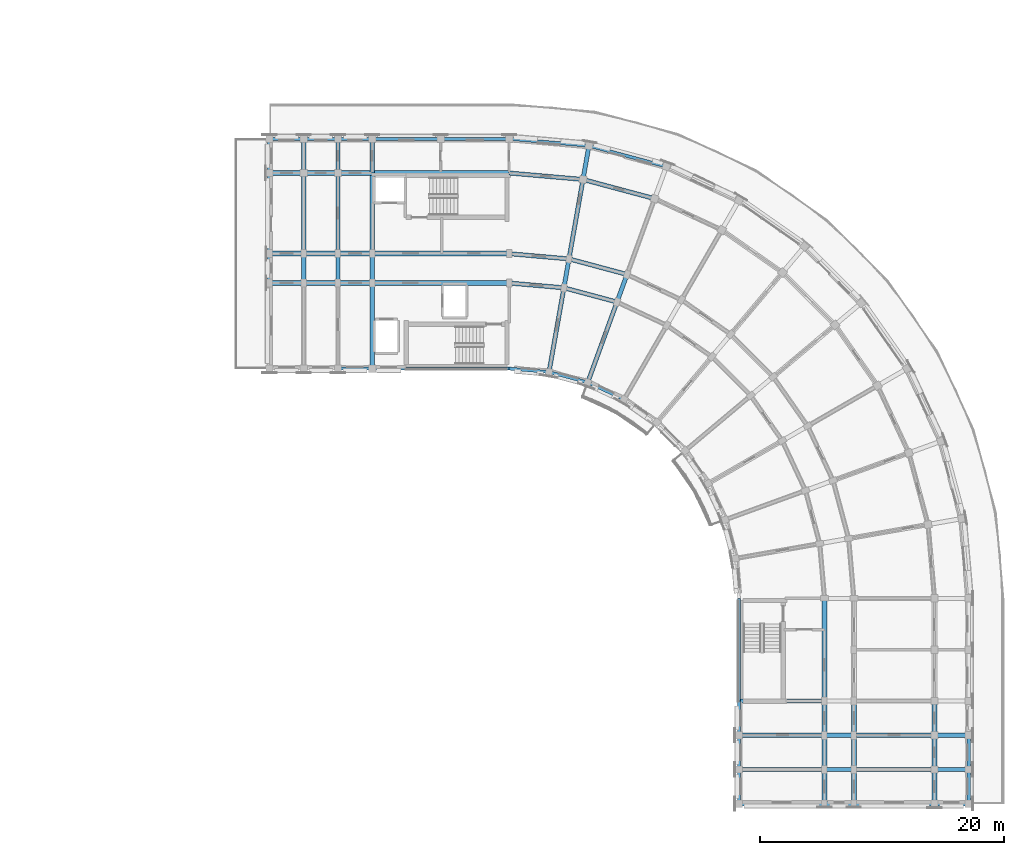
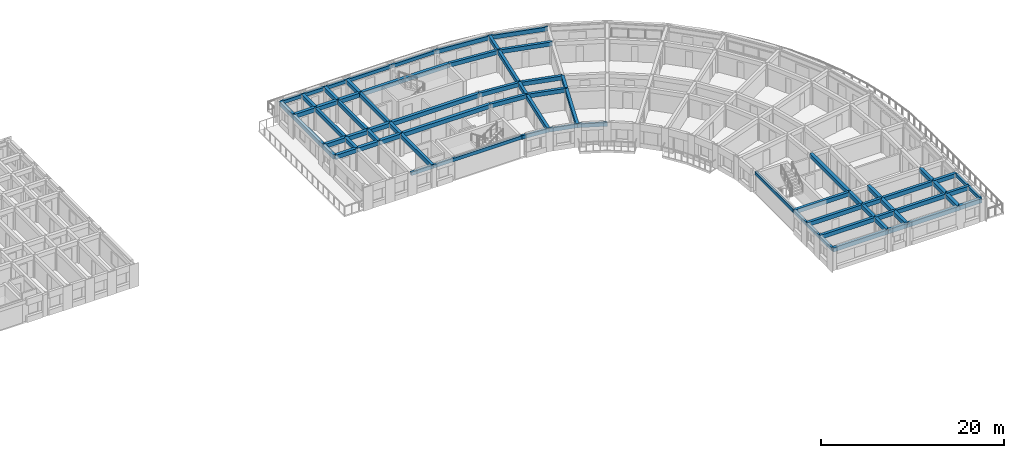
# One storey, part 6 of 36: 78 beams.
"""IFC4 building model written with IfcOpenShell, lengths in metres."""

from ifc_helpers import new_model, si_unit, direction, frame, origin, origin_2d, place, context, subcontext, project, spatial, rectangle, extrude, material, material_profile, profile_set, type_object, element, save


model = new_model("IFC4")

# Units and contexts
model_context = context("Model", 3, precision=1e-05, world=origin(), true_north=direction((0.0, 1.0)))
body_context = subcontext(model_context, "Body", "Model", "MODEL_VIEW")
ifc_project = project(units=[si_unit("LENGTHUNIT", "METRE"), si_unit("AREAUNIT", "SQUARE_METRE"), si_unit("VOLUMEUNIT", "CUBIC_METRE"), si_unit("PLANEANGLEUNIT", "RADIAN"), si_unit("MASSUNIT", "GRAM", prefix="KILO")], contexts=[model_context])

# Site, building, storey
site_placement = place(None, origin())
site = spatial("IfcSite", under=ifc_project, at=site_placement, CompositionType="ELEMENT")
building_placement = place(site_placement, origin())
building = spatial("IfcBuilding", under=site, at=building_placement, Name="Kiranvali Square Residences", CompositionType="ELEMENT")
storey_placement = place(building_placement, frame((0.0, 0.0, 37.050048828125)))
storey = spatial("IfcBuildingStorey", under=building, at=storey_placement, Name="L11", CompositionType="ELEMENT", Elevation=37.050048828125)

# Beams
ifc_material_1 = material(Name="Concrete M40 (40 MPa)", Category="concrete")
ifc_material_profile_1 = material_profile(ifc_material_1, rectangle(XDim=0.35009765625, YDim=0.550048828125, at=origin_2d()), Name="RC 350x550")
ifc_profile_set_1 = profile_set([ifc_material_profile_1], Name="Concrete M40 (40 MPa)")
beam_type_1 = type_object("IfcBeamType", Name="BM-M40-350x550", PredefinedType="BEAM", material=ifc_profile_set_1)
beam_1_placement = place(storey_placement, frame((119.800048828125, 113.60009765625, 2.655029296875), z_axis=(0.996191949488, -0.087187153726, 0.0), x_axis=(0.087187153726, 0.996191949488, 0.0)))
element("IfcBeam", 1, at=beam_1_placement, inside=storey, type_object=beam_type_1, Name="L11 beam BM-B-L11-C00-R1", PredefinedType="BEAM", context=body_context, shape_type="SweptSolid", body=[
    extrude(rectangle(XDim=0.35009765625, YDim=0.550048828125, at=origin_2d()), origin(), (0.0, 0.0, 1.0), 4.4970703125),
])
beam_2_placement = place(storey_placement, frame((119.800048828125, 116.0, 2.655029296875), z_axis=(0.996193663584, -0.087167566415, 0.0), x_axis=(0.087167566415, 0.996193663584, 0.0)))
element("IfcBeam", 2, at=beam_2_placement, inside=storey, type_object=beam_type_1, Name="L11 beam BM-B-L11-C00-R2", PredefinedType="BEAM", context=body_context, shape_type="SweptSolid", body=[
    extrude(rectangle(XDim=0.35009765625, YDim=0.550048828125, at=origin_2d()), origin(), (0.0, 0.0, 1.0), 4.91552734375),
])
beam_3_placement = place(storey_placement, frame((119.800048828125, 122.60009765625, 2.655029296875), z_axis=(0.996193018494, -0.087174938512, 0.0), x_axis=(0.087174938512, 0.996193018494, 0.0)))
element("IfcBeam", 3, at=beam_3_placement, inside=storey, type_object=beam_type_1, Name="L11 beam BM-B-L11-C00-R3", PredefinedType="BEAM", context=body_context, shape_type="SweptSolid", body=[
    extrude(rectangle(XDim=0.35009765625, YDim=0.550048828125, at=origin_2d()), origin(), (0.0, 0.0, 1.0), 6.066162109375),
])
beam_4_placement = place(storey_placement, frame((124.280029296875, 113.2080078125, 2.655029296875), z_axis=(0.965934240054, -0.258787642463, 0.0), x_axis=(0.258787642463, 0.965934240054, 0.0)))
element("IfcBeam", 4, at=beam_4_placement, inside=storey, type_object=beam_type_1, Name="L11 beam BM-B-L11-C01-R1", PredefinedType="BEAM", context=body_context, shape_type="SweptSolid", body=[
    extrude(rectangle(XDim=0.35009765625, YDim=0.550048828125, at=origin_2d()), origin(), (0.0, 0.0, 1.0), 4.497314453125),
])
beam_5_placement = place(storey_placement, frame((124.69677734375, 115.571533203125, 2.655029296875), z_axis=(0.965930095386, -0.258803112091, 0.0), x_axis=(0.258803112091, 0.965930095386, 0.0)))
element("IfcBeam", 5, at=beam_5_placement, inside=storey, type_object=beam_type_1, Name="L11 beam BM-B-L11-C01-R2", PredefinedType="BEAM", context=body_context, shape_type="SweptSolid", body=[
    extrude(rectangle(XDim=0.35009765625, YDim=0.550048828125, at=origin_2d()), origin(), (0.0, 0.0, 1.0), 4.915771484375),
])
beam_6_placement = place(storey_placement, frame((125.843017578125, 122.0712890625, 2.655029296875), z_axis=(0.965923618901, -0.258827283048, 0.0), x_axis=(0.258827283048, 0.965923618901, 0.0)))
element("IfcBeam", 6, at=beam_6_placement, inside=storey, type_object=beam_type_1, Name="L11 beam BM-B-L11-C01-R3", PredefinedType="BEAM", context=body_context, shape_type="SweptSolid", body=[
    extrude(rectangle(XDim=0.35009765625, YDim=0.550048828125, at=origin_2d()), origin(), (0.0, 0.0, 1.0), 6.066162109375),
])
beam_7_placement = place(storey_placement, frame((123.064697265625, 106.314453125, 2.655029296875), z_axis=(0.173622177865, 0.984812337125, 0.0), x_axis=(-0.984812337125, 0.173622177865, 0.0)))
element("IfcBeam", 7, at=beam_7_placement, inside=storey, type_object=beam_type_1, Name="L11 beam BM-B-L11-RAD01-01", PredefinedType="BEAM", context=body_context, shape_type="SweptSolid", body=[
    extrude(rectangle(XDim=0.35009765625, YDim=0.550048828125, at=origin_2d()), origin(), (0.0, 0.0, 1.0), 6.999755859375),
])
beam_8_placement = place(storey_placement, frame((124.280029296875, 113.2080078125, 2.655029296875), z_axis=(0.173646056486, 0.984808127031, 0.0), x_axis=(-0.984808127031, 0.173646056486, 0.0)))
element("IfcBeam", 8, at=beam_8_placement, inside=storey, type_object=beam_type_1, Name="L11 beam BM-B-L11-RAD01-12", PredefinedType="BEAM", context=body_context, shape_type="SweptSolid", body=[
    extrude(rectangle(XDim=0.35009765625, YDim=0.550048828125, at=origin_2d()), origin(), (0.0, 0.0, 1.0), 2.39990234375),
])
beam_9_placement = place(storey_placement, frame((124.69677734375, 115.571533203125, 2.655029296875), z_axis=(0.173671381499, 0.984803661269, 0.0), x_axis=(-0.984803661269, 0.173671381499, 0.0)))
element("IfcBeam", 9, at=beam_9_placement, inside=storey, type_object=beam_type_1, Name="L11 beam BM-B-L11-RAD01-23", PredefinedType="BEAM", context=body_context, shape_type="SweptSolid", body=[
    extrude(rectangle(XDim=0.35009765625, YDim=0.550048828125, at=origin_2d()), origin(), (0.0, 0.0, 1.0), 6.60009765625),
])
beam_10_placement = place(storey_placement, frame((125.843017578125, 122.0712890625, 2.695068359375), z_axis=(0.173596320392, 0.984816895441, 0.0), x_axis=(-0.984816895441, 0.173596320392, 0.0)))
element("IfcBeam", 10, at=beam_10_placement, inside=storey, type_object=beam_type_1, Name="L11 beam BM-B-L11-RAD01-34", PredefinedType="BEAM", context=body_context, shape_type="SweptSolid", body=[
    extrude(rectangle(XDim=0.35009765625, YDim=0.550048828125, at=origin_2d()), origin(), (0.0, 0.0, 1.0), 2.800048828125),
])
beam_11_placement = place(storey_placement, frame((126.22998046875, 105.46630859375, 2.655029296875), z_axis=(0.342006283793, 0.939697665127, 0.0), x_axis=(-0.939697665127, 0.342006283793, 0.0)))
element("IfcBeam", 11, at=beam_11_placement, inside=storey, type_object=beam_type_1, Name="L11 beam BM-B-L11-RAD02-01", PredefinedType="BEAM", context=body_context, shape_type="SweptSolid", body=[
    extrude(rectangle(XDim=0.35009765625, YDim=0.550048828125, at=origin_2d()), origin(), (0.0, 0.0, 1.0), 7.0),
])
beam_12_placement = place(storey_placement, frame((128.6240234375, 112.044189453125, 2.655029296875), z_axis=(0.342110593602, 0.939659694648, 0.0), x_axis=(-0.939659694648, 0.342110593602, 0.0)))
element("IfcBeam", 12, at=beam_12_placement, inside=storey, type_object=beam_type_1, Name="L11 beam BM-B-L11-RAD02-12", PredefinedType="BEAM", context=body_context, shape_type="SweptSolid", body=[
    extrude(rectangle(XDim=0.35009765625, YDim=0.550048828125, at=origin_2d()), origin(), (0.0, 0.0, 1.0), 2.39990234375),
])
beam_13_placement = place(storey_placement, frame((108.60009765625, 106.60009765625, 2.655029296875), z_axis=(0.0, 1.0, 0.0), x_axis=(-1.0, 0.0, 0.0)))
element("IfcBeam", 13, at=beam_13_placement, inside=storey, type_object=beam_type_1, Name="L11 beam BM-B-L11-A1T1-01", PredefinedType="BEAM", context=body_context, shape_type="SweptSolid", body=[
    extrude(rectangle(XDim=0.35009765625, YDim=0.550048828125, at=origin_2d()), origin(), (0.0, 0.0, 1.0), 7.0),
])
beam_14_placement = place(storey_placement, frame((108.60009765625, 113.60009765625, 2.655029296875), z_axis=(0.0, 1.0, 0.0), x_axis=(-1.0, 0.0, 0.0)))
element("IfcBeam", 14, at=beam_14_placement, inside=storey, type_object=beam_type_1, Name="L11 beam BM-B-L11-A1T1-12", PredefinedType="BEAM", context=body_context, shape_type="SweptSolid", body=[
    extrude(rectangle(XDim=0.35009765625, YDim=0.550048828125, at=origin_2d()), origin(), (0.0, 0.0, 1.0), 2.39990234375),
])
beam_15_placement = place(storey_placement, frame((108.60009765625, 116.0, 2.655029296875), z_axis=(0.0, 1.0, 0.0), x_axis=(-1.0, 0.0, 0.0)))
element("IfcBeam", 15, at=beam_15_placement, inside=storey, type_object=beam_type_1, Name="L11 beam BM-B-L11-A1T1-23", PredefinedType="BEAM", context=body_context, shape_type="SweptSolid", body=[
    extrude(rectangle(XDim=0.35009765625, YDim=0.550048828125, at=origin_2d()), origin(), (0.0, 0.0, 1.0), 6.60009765625),
])
beam_16_placement = place(storey_placement, frame((108.60009765625, 122.60009765625, 2.695068359375), z_axis=(0.0, 1.0, 0.0), x_axis=(-1.0, 0.0, 0.0)))
element("IfcBeam", 16, at=beam_16_placement, inside=storey, type_object=beam_type_1, Name="L11 beam BM-B-L11-A1T1-34", PredefinedType="BEAM", context=body_context, shape_type="SweptSolid", body=[
    extrude(rectangle(XDim=0.35009765625, YDim=0.550048828125, at=origin_2d()), origin(), (0.0, 0.0, 1.0), 2.7998046875),
])
beam_17_placement = place(storey_placement, frame((105.800048828125, 113.60009765625, 2.655029296875), z_axis=(0.0, 1.0, 0.0), x_axis=(-1.0, 0.0, 0.0)))
element("IfcBeam", 17, at=beam_17_placement, inside=storey, type_object=beam_type_1, Name="L11 beam BM-B-L11-A1T2-12", PredefinedType="BEAM", context=body_context, shape_type="SweptSolid", body=[
    extrude(rectangle(XDim=0.35009765625, YDim=0.550048828125, at=origin_2d()), origin(), (0.0, 0.0, 1.0), 2.39990234375),
])
beam_18_placement = place(storey_placement, frame((105.800048828125, 116.0, 2.655029296875), z_axis=(0.0, 1.0, 0.0), x_axis=(-1.0, 0.0, 0.0)))
element("IfcBeam", 18, at=beam_18_placement, inside=storey, type_object=beam_type_1, Name="L11 beam BM-B-L11-A1T2-23", PredefinedType="BEAM", context=body_context, shape_type="SweptSolid", body=[
    extrude(rectangle(XDim=0.35009765625, YDim=0.550048828125, at=origin_2d()), origin(), (0.0, 0.0, 1.0), 6.60009765625),
])
beam_19_placement = place(storey_placement, frame((105.800048828125, 122.60009765625, 2.695068359375), z_axis=(0.0, 1.0, 0.0), x_axis=(-1.0, 0.0, 0.0)))
element("IfcBeam", 19, at=beam_19_placement, inside=storey, type_object=beam_type_1, Name="L11 beam BM-B-L11-A1T2-34", PredefinedType="BEAM", context=body_context, shape_type="SweptSolid", body=[
    extrude(rectangle(XDim=0.35009765625, YDim=0.550048828125, at=origin_2d()), origin(), (0.0, 0.0, 1.0), 2.7998046875),
])
beam_20_placement = place(storey_placement, frame((103.0, 113.60009765625, 2.655029296875), z_axis=(0.0, 1.0, 0.0), x_axis=(-1.0, 0.0, 0.0)))
element("IfcBeam", 20, at=beam_20_placement, inside=storey, type_object=beam_type_1, Name="L11 beam BM-B-L11-A1T3-12", PredefinedType="BEAM", context=body_context, shape_type="SweptSolid", body=[
    extrude(rectangle(XDim=0.35009765625, YDim=0.550048828125, at=origin_2d()), origin(), (0.0, 0.0, 1.0), 2.39990234375),
])
beam_21_placement = place(storey_placement, frame((103.0, 116.0, 2.655029296875), z_axis=(0.0, 1.0, 0.0), x_axis=(-1.0, 0.0, 0.0)))
element("IfcBeam", 21, at=beam_21_placement, inside=storey, type_object=beam_type_1, Name="L11 beam BM-B-L11-A1T3-23", PredefinedType="BEAM", context=body_context, shape_type="SweptSolid", body=[
    extrude(rectangle(XDim=0.35009765625, YDim=0.550048828125, at=origin_2d()), origin(), (0.0, 0.0, 1.0), 6.60009765625),
])
beam_22_placement = place(storey_placement, frame((103.0, 122.60009765625, 2.695068359375), z_axis=(0.0, 1.0, 0.0), x_axis=(-1.0, 0.0, 0.0)))
element("IfcBeam", 22, at=beam_22_placement, inside=storey, type_object=beam_type_1, Name="L11 beam BM-B-L11-A1T3-34", PredefinedType="BEAM", context=body_context, shape_type="SweptSolid", body=[
    extrude(rectangle(XDim=0.35009765625, YDim=0.550048828125, at=origin_2d()), origin(), (0.0, 0.0, 1.0), 2.7998046875),
])
beam_23_placement = place(storey_placement, frame((100.199951171875, 113.60009765625, 2.655029296875), z_axis=(0.0, 1.0, 0.0), x_axis=(-1.0, 0.0, 0.0)))
element("IfcBeam", 23, at=beam_23_placement, inside=storey, type_object=beam_type_1, Name="L11 beam BM-B-L11-A1T4-12", PredefinedType="BEAM", context=body_context, shape_type="SweptSolid", body=[
    extrude(rectangle(XDim=0.35009765625, YDim=0.550048828125, at=origin_2d()), origin(), (0.0, 0.0, 1.0), 2.39990234375),
])
beam_24_placement = place(storey_placement, frame((100.199951171875, 116.0, 2.655029296875), z_axis=(0.0, 1.0, 0.0), x_axis=(-1.0, 0.0, 0.0)))
element("IfcBeam", 24, at=beam_24_placement, inside=storey, type_object=beam_type_1, Name="L11 beam BM-B-L11-A1T4-23", PredefinedType="BEAM", context=body_context, shape_type="SweptSolid", body=[
    extrude(rectangle(XDim=0.35009765625, YDim=0.550048828125, at=origin_2d()), origin(), (0.0, 0.0, 1.0), 6.60009765625),
])
beam_25_placement = place(storey_placement, frame((100.199951171875, 122.60009765625, 2.695068359375), z_axis=(0.0, 1.0, 0.0), x_axis=(-1.0, 0.0, 0.0)))
element("IfcBeam", 25, at=beam_25_placement, inside=storey, type_object=beam_type_1, Name="L11 beam BM-B-L11-A1T4-34", PredefinedType="BEAM", context=body_context, shape_type="SweptSolid", body=[
    extrude(rectangle(XDim=0.35009765625, YDim=0.550048828125, at=origin_2d()), origin(), (0.0, 0.0, 1.0), 2.7998046875),
])
for number, where, z_axis, x_axis, name in (
    (26, (138.60009765625, 79.39990234375, 2.655029296875), (1.0, 0.0, 0.0), (0.0, 1.0, 0.0), "L11 beam BM-B-L11-A2T1-01"),
    (27, (138.60009765625, 76.60009765625, 2.655029296875), (1.0, 0.0, 0.0), (0.0, 1.0, 0.0), "L11 beam BM-B-L11-A2T2-01"),
):
    element("IfcBeam", number, at=place(storey_placement, frame(where, z_axis=z_axis, x_axis=x_axis)), inside=storey, type_object=beam_type_1, Name=name, PredefinedType="BEAM", context=body_context, shape_type="SweptSolid", body=[
        extrude(rectangle(XDim=0.35009765625, YDim=0.550048828125, at=origin_2d()), origin(), (0.0, 0.0, 1.0), 7.0),
    ])
beam_26_placement = place(storey_placement, frame((145.60009765625, 76.60009765625, 2.655029296875), z_axis=(1.0, 0.0, 0.0), x_axis=(0.0, 1.0, 0.0)))
element("IfcBeam", 28, at=beam_26_placement, inside=storey, type_object=beam_type_1, Name="L11 beam BM-B-L11-A2T2-12", PredefinedType="BEAM", context=body_context, shape_type="SweptSolid", body=[
    extrude(rectangle(XDim=0.35009765625, YDim=0.550048828125, at=origin_2d()), origin(), (0.0, 0.0, 1.0), 2.39990234375),
])
beam_27_placement = place(storey_placement, frame((148.0, 76.60009765625, 2.655029296875), z_axis=(1.0, 0.0, 0.0), x_axis=(0.0, 1.0, 0.0)))
element("IfcBeam", 29, at=beam_27_placement, inside=storey, type_object=beam_type_1, Name="L11 beam BM-B-L11-A2T2-23", PredefinedType="BEAM", context=body_context, shape_type="SweptSolid", body=[
    extrude(rectangle(XDim=0.35009765625, YDim=0.550048828125, at=origin_2d()), origin(), (0.0, 0.0, 1.0), 6.60009765625),
])
beam_28_placement = place(storey_placement, frame((154.60009765625, 76.60009765625, 2.695068359375), z_axis=(1.0, 0.0, 0.0), x_axis=(0.0, 1.0, 0.0)))
element("IfcBeam", 30, at=beam_28_placement, inside=storey, type_object=beam_type_1, Name="L11 beam BM-B-L11-A2T2-34", PredefinedType="BEAM", context=body_context, shape_type="SweptSolid", body=[
    extrude(rectangle(XDim=0.35009765625, YDim=0.550048828125, at=origin_2d()), origin(), (0.0, 0.0, 1.0), 2.7998046875),
])
beam_29_placement = place(storey_placement, frame((138.60009765625, 73.800048828125, 2.655029296875), z_axis=(1.0, 0.0, 0.0), x_axis=(0.0, 1.0, 0.0)))
element("IfcBeam", 31, at=beam_29_placement, inside=storey, type_object=beam_type_1, Name="L11 beam BM-B-L11-A2T3-01", PredefinedType="BEAM", context=body_context, shape_type="SweptSolid", body=[
    extrude(rectangle(XDim=0.35009765625, YDim=0.550048828125, at=origin_2d()), origin(), (0.0, 0.0, 1.0), 7.0),
])
beam_30_placement = place(storey_placement, frame((145.60009765625, 73.800048828125, 2.655029296875), z_axis=(1.0, 0.0, 0.0), x_axis=(0.0, 1.0, 0.0)))
element("IfcBeam", 32, at=beam_30_placement, inside=storey, type_object=beam_type_1, Name="L11 beam BM-B-L11-A2T3-12", PredefinedType="BEAM", context=body_context, shape_type="SweptSolid", body=[
    extrude(rectangle(XDim=0.35009765625, YDim=0.550048828125, at=origin_2d()), origin(), (0.0, 0.0, 1.0), 2.39990234375),
])
beam_31_placement = place(storey_placement, frame((148.0, 73.800048828125, 2.655029296875), z_axis=(1.0, 0.0, 0.0), x_axis=(0.0, 1.0, 0.0)))
element("IfcBeam", 33, at=beam_31_placement, inside=storey, type_object=beam_type_1, Name="L11 beam BM-B-L11-A2T3-23", PredefinedType="BEAM", context=body_context, shape_type="SweptSolid", body=[
    extrude(rectangle(XDim=0.35009765625, YDim=0.550048828125, at=origin_2d()), origin(), (0.0, 0.0, 1.0), 6.60009765625),
])
beam_32_placement = place(storey_placement, frame((154.60009765625, 73.800048828125, 2.695068359375), z_axis=(1.0, 0.0, 0.0), x_axis=(0.0, 1.0, 0.0)))
element("IfcBeam", 34, at=beam_32_placement, inside=storey, type_object=beam_type_1, Name="L11 beam BM-B-L11-A2T3-34", PredefinedType="BEAM", context=body_context, shape_type="SweptSolid", body=[
    extrude(rectangle(XDim=0.35009765625, YDim=0.550048828125, at=origin_2d()), origin(), (0.0, 0.0, 1.0), 2.7998046875),
])
beam_33_placement = place(storey_placement, frame((138.60009765625, 71.0, 2.655029296875), z_axis=(1.0, 0.0, 0.0), x_axis=(0.0, 1.0, 0.0)))
element("IfcBeam", 35, at=beam_33_placement, inside=storey, type_object=beam_type_1, Name="L11 beam BM-B-L11-A2T4-01", PredefinedType="BEAM", context=body_context, shape_type="SweptSolid", body=[
    extrude(rectangle(XDim=0.35009765625, YDim=0.550048828125, at=origin_2d()), origin(), (0.0, 0.0, 1.0), 7.0),
])
beam_34_placement = place(storey_placement, frame((145.60009765625, 71.0, 2.655029296875), z_axis=(1.0, 0.0, 0.0), x_axis=(0.0, 1.0, 0.0)))
element("IfcBeam", 36, at=beam_34_placement, inside=storey, type_object=beam_type_1, Name="L11 beam BM-B-L11-A2T4-12", PredefinedType="BEAM", context=body_context, shape_type="SweptSolid", body=[
    extrude(rectangle(XDim=0.35009765625, YDim=0.550048828125, at=origin_2d()), origin(), (0.0, 0.0, 1.0), 2.39990234375),
])
beam_35_placement = place(storey_placement, frame((148.0, 71.0, 2.655029296875), z_axis=(1.0, 0.0, 0.0), x_axis=(0.0, 1.0, 0.0)))
element("IfcBeam", 37, at=beam_35_placement, inside=storey, type_object=beam_type_1, Name="L11 beam BM-B-L11-A2T4-23", PredefinedType="BEAM", context=body_context, shape_type="SweptSolid", body=[
    extrude(rectangle(XDim=0.35009765625, YDim=0.550048828125, at=origin_2d()), origin(), (0.0, 0.0, 1.0), 6.60009765625),
])
beam_36_placement = place(storey_placement, frame((154.60009765625, 71.0, 2.695068359375), z_axis=(1.0, 0.0, 0.0), x_axis=(0.0, 1.0, 0.0)))
element("IfcBeam", 38, at=beam_36_placement, inside=storey, type_object=beam_type_1, Name="L11 beam BM-B-L11-A2T4-34", PredefinedType="BEAM", context=body_context, shape_type="SweptSolid", body=[
    extrude(rectangle(XDim=0.35009765625, YDim=0.550048828125, at=origin_2d()), origin(), (0.0, 0.0, 1.0), 2.7998046875),
])
ifc_material_2 = material(Name="Concrete M45 (45 MPa)", Category="concrete")
ifc_material_profile_2 = material_profile(ifc_material_2, rectangle(XDim=0.39990234375, YDim=0.550048828125, at=origin_2d()), Name="RC 400x550")
ifc_profile_set_2 = profile_set([ifc_material_profile_2], Name="Concrete M45 (45 MPa)")
beam_type_2 = type_object("IfcBeamType", Name="BM-M45-400x550", PredefinedType="BEAM", material=ifc_profile_set_2)
beam_37_placement = place(storey_placement, frame((119.800048828125, 113.60009765625, 2.655029296875), z_axis=(-1.0, 0.0, 0.0), x_axis=(0.0, -1.0, 0.0)))
element("IfcBeam", 39, at=beam_37_placement, inside=storey, type_object=beam_type_2, Name="L11 beam BM-B-L11-A1U0-R1", PredefinedType="BEAM", context=body_context, shape_type="SweptSolid", body=[
    extrude(rectangle(XDim=0.39990234375, YDim=0.550048828125, at=origin_2d()), origin(), (0.0, 0.0, 1.0), 11.199951171875),
])
for number, where, z_axis, x_axis, name in (
    (40, (108.60009765625, 113.60009765625, 2.655029296875), (-1.0, 0.0, 0.0), (0.0, -1.0, 0.0), "L11 beam BM-B-L11-A1U1-R1"),
    (41, (105.800048828125, 113.60009765625, 2.655029296875), (-1.0, 0.0, 0.0), (0.0, -1.0, 0.0), "L11 beam BM-B-L11-A1U2-R1"),
    (42, (103.0, 113.60009765625, 2.655029296875), (-1.0, 0.0, 0.0), (0.0, -1.0, 0.0), "L11 beam BM-B-L11-A1U3-R1"),
):
    element("IfcBeam", number, at=place(storey_placement, frame(where, z_axis=z_axis, x_axis=x_axis)), inside=storey, type_object=beam_type_2, Name=name, PredefinedType="BEAM", context=body_context, shape_type="SweptSolid", body=[
        extrude(rectangle(XDim=0.39990234375, YDim=0.550048828125, at=origin_2d()), origin(), (0.0, 0.0, 1.0), 2.800048828125),
    ])
beam_38_placement = place(storey_placement, frame((119.800048828125, 116.0, 2.655029296875), z_axis=(-1.0, 0.0, 0.0), x_axis=(0.0, -1.0, 0.0)))
element("IfcBeam", 43, at=beam_38_placement, inside=storey, type_object=beam_type_2, Name="L11 beam BM-B-L11-A1U0-R2", PredefinedType="BEAM", context=body_context, shape_type="SweptSolid", body=[
    extrude(rectangle(XDim=0.39990234375, YDim=0.550048828125, at=origin_2d()), origin(), (0.0, 0.0, 1.0), 11.199951171875),
])
for number, where, z_axis, x_axis, name in (
    (44, (108.60009765625, 116.0, 2.655029296875), (-1.0, 0.0, 0.0), (0.0, -1.0, 0.0), "L11 beam BM-B-L11-A1U1-R2"),
    (45, (105.800048828125, 116.0, 2.655029296875), (-1.0, 0.0, 0.0), (0.0, -1.0, 0.0), "L11 beam BM-B-L11-A1U2-R2"),
    (46, (103.0, 116.0, 2.655029296875), (-1.0, 0.0, 0.0), (0.0, -1.0, 0.0), "L11 beam BM-B-L11-A1U3-R2"),
):
    element("IfcBeam", number, at=place(storey_placement, frame(where, z_axis=z_axis, x_axis=x_axis)), inside=storey, type_object=beam_type_2, Name=name, PredefinedType="BEAM", context=body_context, shape_type="SweptSolid", body=[
        extrude(rectangle(XDim=0.39990234375, YDim=0.550048828125, at=origin_2d()), origin(), (0.0, 0.0, 1.0), 2.800048828125),
    ])
beam_39_placement = place(storey_placement, frame((119.800048828125, 122.60009765625, 2.655029296875), z_axis=(-1.0, 0.0, 0.0), x_axis=(0.0, -1.0, 0.0)))
element("IfcBeam", 47, at=beam_39_placement, inside=storey, type_object=beam_type_2, Name="L11 beam BM-B-L11-A1U0-R3", PredefinedType="BEAM", context=body_context, shape_type="SweptSolid", body=[
    extrude(rectangle(XDim=0.39990234375, YDim=0.550048828125, at=origin_2d()), origin(), (0.0, 0.0, 1.0), 11.199951171875),
])
for number, where, z_axis, x_axis, name in (
    (48, (108.60009765625, 122.60009765625, 2.655029296875), (-1.0, 0.0, 0.0), (0.0, -1.0, 0.0), "L11 beam BM-B-L11-A1U1-R3"),
    (49, (105.800048828125, 122.60009765625, 2.655029296875), (-1.0, 0.0, 0.0), (0.0, -1.0, 0.0), "L11 beam BM-B-L11-A1U2-R3"),
    (50, (103.0, 122.60009765625, 2.655029296875), (-1.0, 0.0, 0.0), (0.0, -1.0, 0.0), "L11 beam BM-B-L11-A1U3-R3"),
):
    element("IfcBeam", number, at=place(storey_placement, frame(where, z_axis=z_axis, x_axis=x_axis)), inside=storey, type_object=beam_type_2, Name=name, PredefinedType="BEAM", context=body_context, shape_type="SweptSolid", body=[
        extrude(rectangle(XDim=0.39990234375, YDim=0.550048828125, at=origin_2d()), origin(), (0.0, 0.0, 1.0), 2.800048828125),
    ])
beam_40_placement = place(storey_placement, frame((145.60009765625, 87.800048828125, 2.655029296875), z_axis=(0.0, -1.0, 0.0), x_axis=(1.0, 0.0, 0.0)))
element("IfcBeam", 51, at=beam_40_placement, inside=storey, type_object=beam_type_2, Name="L11 beam BM-B-L11-A2V0-R1", PredefinedType="BEAM", context=body_context, shape_type="SweptSolid", body=[
    extrude(rectangle(XDim=0.39990234375, YDim=0.550048828125, at=origin_2d()), origin(), (0.0, 0.0, 1.0), 8.400146484375),
])
beam_41_placement = place(storey_placement, frame((145.60009765625, 79.39990234375, 2.655029296875), z_axis=(0.0, -1.0, 0.0), x_axis=(1.0, 0.0, 0.0)))
element("IfcBeam", 52, at=beam_41_placement, inside=storey, type_object=beam_type_2, Name="L11 beam BM-B-L11-A2V1-R1", PredefinedType="BEAM", context=body_context, shape_type="SweptSolid", body=[
    extrude(rectangle(XDim=0.39990234375, YDim=0.550048828125, at=origin_2d()), origin(), (0.0, 0.0, 1.0), 2.7998046875),
])
for number, where, z_axis, x_axis, name in (
    (53, (145.60009765625, 76.60009765625, 2.655029296875), (0.0, -1.0, 0.0), (1.0, 0.0, 0.0), "L11 beam BM-B-L11-A2V2-R1"),
    (54, (145.60009765625, 73.800048828125, 2.655029296875), (0.0, -1.0, 0.0), (1.0, 0.0, 0.0), "L11 beam BM-B-L11-A2V3-R1"),
):
    element("IfcBeam", number, at=place(storey_placement, frame(where, z_axis=z_axis, x_axis=x_axis)), inside=storey, type_object=beam_type_2, Name=name, PredefinedType="BEAM", context=body_context, shape_type="SweptSolid", body=[
        extrude(rectangle(XDim=0.39990234375, YDim=0.550048828125, at=origin_2d()), origin(), (0.0, 0.0, 1.0), 2.800048828125),
    ])
beam_42_placement = place(storey_placement, frame((148.0, 79.39990234375, 2.655029296875), z_axis=(0.0, -1.0, 0.0), x_axis=(1.0, 0.0, 0.0)))
element("IfcBeam", 55, at=beam_42_placement, inside=storey, type_object=beam_type_2, Name="L11 beam BM-B-L11-A2V2-R2", PredefinedType="BEAM", context=body_context, shape_type="SweptSolid", body=[
    extrude(rectangle(XDim=0.39990234375, YDim=0.550048828125, at=origin_2d()), origin(), (0.0, 0.0, 1.0), 2.7998046875),
])
for number, where, z_axis, x_axis, name in (
    (56, (148.0, 76.60009765625, 2.655029296875), (0.0, -1.0, 0.0), (1.0, 0.0, 0.0), "L11 beam BM-B-L11-A2V3-R2"),
    (57, (148.0, 73.800048828125, 2.655029296875), (0.0, -1.0, 0.0), (1.0, 0.0, 0.0), "L11 beam BM-B-L11-A2V4-R2"),
):
    element("IfcBeam", number, at=place(storey_placement, frame(where, z_axis=z_axis, x_axis=x_axis)), inside=storey, type_object=beam_type_2, Name=name, PredefinedType="BEAM", context=body_context, shape_type="SweptSolid", body=[
        extrude(rectangle(XDim=0.39990234375, YDim=0.550048828125, at=origin_2d()), origin(), (0.0, 0.0, 1.0), 2.800048828125),
    ])
beam_43_placement = place(storey_placement, frame((154.60009765625, 79.39990234375, 2.655029296875), z_axis=(0.0, -1.0, 0.0), x_axis=(1.0, 0.0, 0.0)))
element("IfcBeam", 58, at=beam_43_placement, inside=storey, type_object=beam_type_2, Name="L11 beam BM-B-L11-A2V2-R3", PredefinedType="BEAM", context=body_context, shape_type="SweptSolid", body=[
    extrude(rectangle(XDim=0.39990234375, YDim=0.550048828125, at=origin_2d()), origin(), (0.0, 0.0, 1.0), 2.7998046875),
])
for number, where, z_axis, x_axis, name in (
    (59, (154.60009765625, 76.60009765625, 2.655029296875), (0.0, -1.0, 0.0), (1.0, 0.0, 0.0), "L11 beam BM-B-L11-A2V3-R3"),
    (60, (154.60009765625, 73.800048828125, 2.655029296875), (0.0, -1.0, 0.0), (1.0, 0.0, 0.0), "L11 beam BM-B-L11-A2V4-R3"),
):
    element("IfcBeam", number, at=place(storey_placement, frame(where, z_axis=z_axis, x_axis=x_axis)), inside=storey, type_object=beam_type_2, Name=name, PredefinedType="BEAM", context=body_context, shape_type="SweptSolid", body=[
        extrude(rectangle(XDim=0.39990234375, YDim=0.550048828125, at=origin_2d()), origin(), (0.0, 0.0, 1.0), 2.800048828125),
    ])
ifc_material_profile_3 = material_profile(ifc_material_1, rectangle(XDim=0.25, YDim=0.449951171875, at=origin_2d()), Name="RC 250x450")
ifc_profile_set_3 = profile_set([ifc_material_profile_3], Name="Concrete M40 (40 MPa)")
beam_type_3 = type_object("IfcBeamType", Name="SPN-M40-250x450", PredefinedType="SPANDREL", material=ifc_profile_set_3)
beam_44_placement = place(storey_placement, frame((119.800048828125, 106.60009765625, 2.704833984375), z_axis=(-1.0, 0.0, 0.0), x_axis=(0.0, -1.0, 0.0)))
element("IfcBeam", 61, at=beam_44_placement, inside=storey, type_object=beam_type_3, Name="L11 beam BM-B-L11-A1U0-R0", PredefinedType="SPANDREL", context=body_context, shape_type="SweptSolid", body=[
    extrude(rectangle(XDim=0.25, YDim=0.449951171875, at=origin_2d()), origin(), (0.0, 0.0, 1.0), 11.199951171875),
])
beam_45_placement = place(storey_placement, frame((108.60009765625, 106.60009765625, 2.704833984375), z_axis=(-1.0, 0.0, 0.0), x_axis=(0.0, -1.0, 0.0)))
element("IfcBeam", 62, at=beam_45_placement, inside=storey, type_object=beam_type_3, Name="L11 beam BM-B-L11-A1U1-R0", PredefinedType="SPANDREL", context=body_context, shape_type="SweptSolid", body=[
    extrude(rectangle(XDim=0.25, YDim=0.449951171875, at=origin_2d()), origin(), (0.0, 0.0, 1.0), 2.800048828125),
])
beam_46_placement = place(storey_placement, frame((119.800048828125, 125.39990234375, 2.744873046875), z_axis=(-1.0, 0.0, 0.0), x_axis=(0.0, -1.0, 0.0)))
element("IfcBeam", 63, at=beam_46_placement, inside=storey, type_object=beam_type_3, Name="L11 beam BM-B-L11-A1U0-R4", PredefinedType="SPANDREL", context=body_context, shape_type="SweptSolid", body=[
    extrude(rectangle(XDim=0.25, YDim=0.449951171875, at=origin_2d()), origin(), (0.0, 0.0, 1.0), 5.60009765625),
])
beam_47_placement = place(storey_placement, frame((114.199951171875, 125.39990234375, 2.744873046875), z_axis=(-1.0, 0.0, 0.0), x_axis=(0.0, -1.0, 0.0)))
element("IfcBeam", 64, at=beam_47_placement, inside=storey, type_object=beam_type_3, Name="L11 beam BM-B-L11-A1U1-R4", PredefinedType="SPANDREL", context=body_context, shape_type="SweptSolid", body=[
    extrude(rectangle(XDim=0.25, YDim=0.449951171875, at=origin_2d()), origin(), (0.0, 0.0, 1.0), 5.599853515625),
])
for number, where, z_axis, x_axis, name in (
    (65, (108.60009765625, 125.39990234375, 2.744873046875), (-1.0, 0.0, 0.0), (0.0, -1.0, 0.0), "L11 beam BM-B-L11-A1U2-R4"),
    (66, (105.800048828125, 125.39990234375, 2.744873046875), (-1.0, 0.0, 0.0), (0.0, -1.0, 0.0), "L11 beam BM-B-L11-A1U3-R4"),
    (67, (103.0, 125.39990234375, 2.744873046875), (-1.0, 0.0, 0.0), (0.0, -1.0, 0.0), "L11 beam BM-B-L11-A1U4-R4"),
):
    element("IfcBeam", number, at=place(storey_placement, frame(where, z_axis=z_axis, x_axis=x_axis)), inside=storey, type_object=beam_type_3, Name=name, PredefinedType="SPANDREL", context=body_context, shape_type="SweptSolid", body=[
        extrude(rectangle(XDim=0.25, YDim=0.449951171875, at=origin_2d()), origin(), (0.0, 0.0, 1.0), 2.800048828125),
    ])
beam_48_placement = place(storey_placement, frame((138.60009765625, 87.800048828125, 2.704833984375), z_axis=(0.0, -1.0, 0.0), x_axis=(1.0, 0.0, 0.0)))
element("IfcBeam", 68, at=beam_48_placement, inside=storey, type_object=beam_type_3, Name="L11 beam BM-B-L11-A2V0-R0", PredefinedType="SPANDREL", context=body_context, shape_type="SweptSolid", body=[
    extrude(rectangle(XDim=0.25, YDim=0.449951171875, at=origin_2d()), origin(), (0.0, 0.0, 1.0), 8.400146484375),
])
beam_49_placement = place(storey_placement, frame((138.60009765625, 79.39990234375, 2.704833984375), z_axis=(0.0, -1.0, 0.0), x_axis=(1.0, 0.0, 0.0)))
element("IfcBeam", 69, at=beam_49_placement, inside=storey, type_object=beam_type_3, Name="L11 beam BM-B-L11-A2V1-R0", PredefinedType="SPANDREL", context=body_context, shape_type="SweptSolid", body=[
    extrude(rectangle(XDim=0.25, YDim=0.449951171875, at=origin_2d()), origin(), (0.0, 0.0, 1.0), 2.7998046875),
])
for number, where, z_axis, x_axis, name in (
    (70, (138.60009765625, 76.60009765625, 2.704833984375), (0.0, -1.0, 0.0), (1.0, 0.0, 0.0), "L11 beam BM-B-L11-A2V2-R0"),
    (71, (138.60009765625, 73.800048828125, 2.704833984375), (0.0, -1.0, 0.0), (1.0, 0.0, 0.0), "L11 beam BM-B-L11-A2V3-R0"),
    (72, (157.39990234375, 76.60009765625, 2.744873046875), (0.0, -1.0, 0.0), (1.0, 0.0, 0.0), "L11 beam BM-B-L11-A2V3-R4"),
    (73, (157.39990234375, 73.800048828125, 2.744873046875), (0.0, -1.0, 0.0), (1.0, 0.0, 0.0), "L11 beam BM-B-L11-A2V4-R4"),
):
    element("IfcBeam", number, at=place(storey_placement, frame(where, z_axis=z_axis, x_axis=x_axis)), inside=storey, type_object=beam_type_3, Name=name, PredefinedType="SPANDREL", context=body_context, shape_type="SweptSolid", body=[
        extrude(rectangle(XDim=0.25, YDim=0.449951171875, at=origin_2d()), origin(), (0.0, 0.0, 1.0), 2.800048828125),
    ])
ifc_material_profile_4 = material_profile(ifc_material_1, rectangle(XDim=0.25, YDim=0.5, at=origin_2d()), Name="RC 250x500")
ifc_profile_set_4 = profile_set([ifc_material_profile_4], Name="Concrete M40 (40 MPa)")
beam_type_4 = type_object("IfcBeamType", Name="SPN-M40-250x500", PredefinedType="SPANDREL", material=ifc_profile_set_4)
beam_50_placement = place(storey_placement, frame((119.800048828125, 106.60009765625, 2.679931640625), z_axis=(0.996194040944, -0.087163253657, 0.0), x_axis=(0.087163253657, 0.996194040944, 0.0)))
element("IfcBeam", 74, at=beam_50_placement, inside=storey, type_object=beam_type_4, Name="L11 beam BM-B-L11-C00-R0", PredefinedType="SPANDREL", context=body_context, shape_type="SweptSolid", body=[
    extrude(rectangle(XDim=0.25, YDim=0.5, at=origin_2d()), origin(), (0.0, 0.0, 1.0), 3.277099609375),
])
beam_51_placement = place(storey_placement, frame((123.064697265625, 106.314453125, 2.679931640625), z_axis=(0.965925105099, -0.258821736607, 0.0), x_axis=(0.258821736607, 0.965925105099, 0.0)))
element("IfcBeam", 75, at=beam_51_placement, inside=storey, type_object=beam_type_4, Name="L11 beam BM-B-L11-C01-R0", PredefinedType="SPANDREL", context=body_context, shape_type="SweptSolid", body=[
    extrude(rectangle(XDim=0.25, YDim=0.5, at=origin_2d()), origin(), (0.0, 0.0, 1.0), 3.27685546875),
])
beam_52_placement = place(storey_placement, frame((126.22998046875, 105.46630859375, 2.679931640625), z_axis=(0.90629730464, -0.422640740585, 0.0), x_axis=(0.422640740585, 0.90629730464, 0.0)))
element("IfcBeam", 76, at=beam_52_placement, inside=storey, type_object=beam_type_4, Name="L11 beam BM-B-L11-C02-R0", PredefinedType="SPANDREL", context=body_context, shape_type="SweptSolid", body=[
    extrude(rectangle(XDim=0.25, YDim=0.5, at=origin_2d()), origin(), (0.0, 0.0, 1.0), 3.277099609375),
])
ifc_material_profile_5 = material_profile(ifc_material_1, rectangle(XDim=0.25, YDim=0.550048828125, at=origin_2d()), Name="RC 250x550")
ifc_profile_set_5 = profile_set([ifc_material_profile_5], Name="Concrete M40 (40 MPa)")
beam_type_5 = type_object("IfcBeamType", Name="SPN-M40-250x550", PredefinedType="SPANDREL", material=ifc_profile_set_5)
beam_53_placement = place(storey_placement, frame((119.800048828125, 125.39990234375, 2.695068359375), z_axis=(0.996196991902, -0.0871295204, 0.0), x_axis=(0.0871295204, 0.996196991902, 0.0)))
element("IfcBeam", 77, at=beam_53_placement, inside=storey, type_object=beam_type_5, Name="L11 beam BM-B-L11-C00-R4", PredefinedType="SPANDREL", context=body_context, shape_type="SweptSolid", body=[
    extrude(rectangle(XDim=0.25, YDim=0.550048828125, at=origin_2d()), origin(), (0.0, 0.0, 1.0), 6.553955078125),
])
beam_54_placement = place(storey_placement, frame((126.3291015625, 124.828857421875, 2.695068359375), z_axis=(0.965918287583, -0.258847178297, 0.0), x_axis=(0.258847178297, 0.965918287583, 0.0)))
element("IfcBeam", 78, at=beam_54_placement, inside=storey, type_object=beam_type_5, Name="L11 beam BM-B-L11-C01-R4", PredefinedType="SPANDREL", context=body_context, shape_type="SweptSolid", body=[
    extrude(rectangle(XDim=0.25, YDim=0.550048828125, at=origin_2d()), origin(), (0.0, 0.0, 1.0), 6.55419921875),
])

save(model, "model.ifc")
